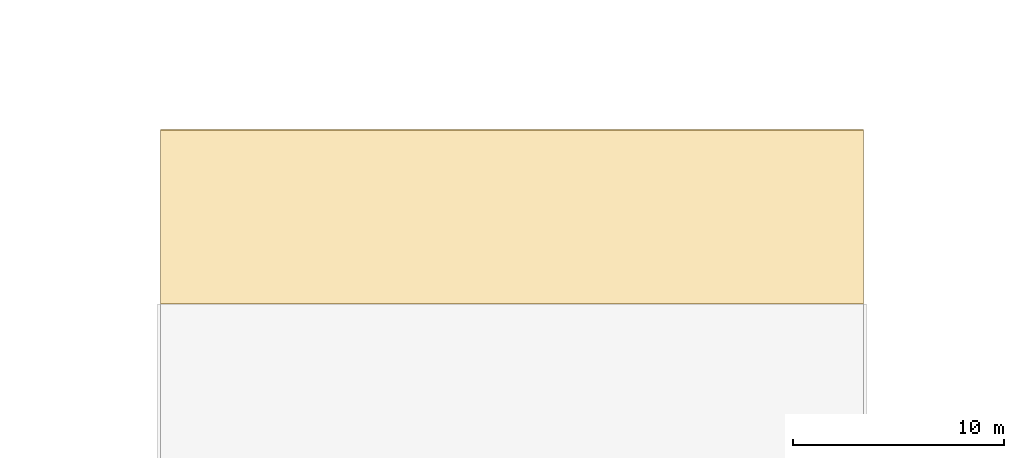
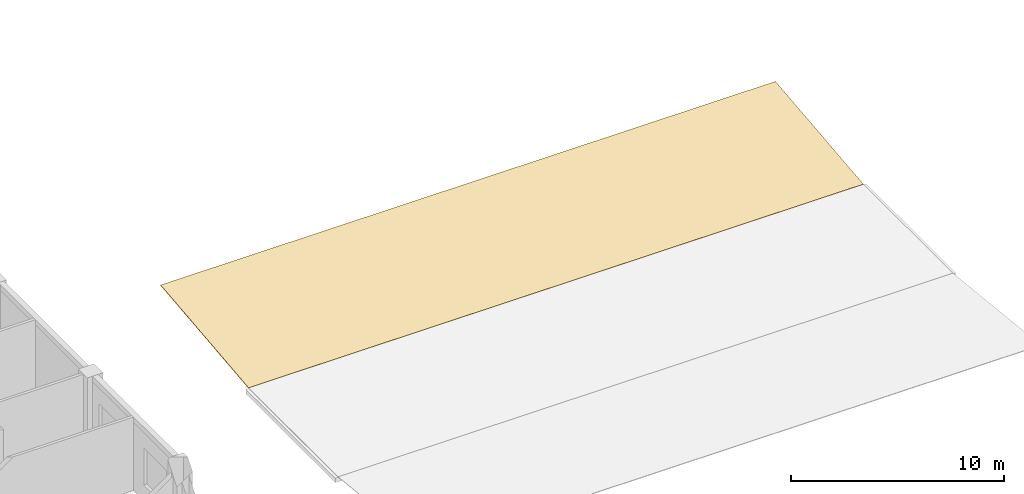
# One storey, part 63 of 66: 1 covering.
"""IFC4 building model written with IfcOpenShell, lengths in metres."""

from ifc_helpers import new_model, si_unit, direction, frame, origin, place, context, subcontext, project, spatial, polyline, outline, extrude, material, layer, layer_set, type_object, element, save


model = new_model("IFC4")

# Units and contexts
model_context = context("Model", 3, precision=1e-05, world=origin(), true_north=direction((0.0, 1.0)))
body_context = subcontext(model_context, "Body", "Model", "MODEL_VIEW")
ifc_project = project(units=[si_unit("LENGTHUNIT", "METRE"), si_unit("AREAUNIT", "SQUARE_METRE"), si_unit("VOLUMEUNIT", "CUBIC_METRE"), si_unit("PLANEANGLEUNIT", "RADIAN"), si_unit("MASSUNIT", "GRAM", prefix="KILO")], contexts=[model_context])

# Site, building, storey
site_placement = place(None, origin())
site = spatial("IfcSite", under=ifc_project, at=site_placement, CompositionType="ELEMENT")
building_placement = place(site_placement, origin())
building = spatial("IfcBuilding", under=site, at=building_placement, Name="Yavir Park General Hospital", CompositionType="ELEMENT")
storey_placement = place(building_placement, frame((0.0, 0.0, 8.39990234375)))
storey = spatial("IfcBuildingStorey", under=building, at=storey_placement, Name="L02", CompositionType="ELEMENT", Elevation=8.39990234375)

# Covering
ifc_material = material(Name="Bituminous roof membrane")
ifc_layer = layer(ifc_material, 0.034912109375)
ifc_layer_set = layer_set([ifc_layer], Name="Bituminous roof membrane")
covering_type = type_object("IfcCoveringType", Name="Roof membrane and insulation 35", PredefinedType="ROOFING", material=ifc_layer_set)
covering_placement = place(storey_placement, frame((33.75, 67.199951171875, 0.2353515625), z_axis=(0.0, -0.106516500476, 0.994310934832), x_axis=(1.0, 0.0, 0.0)))
element("IfcCovering", 1, at=covering_placement, inside=storey, type_object=covering_type, Name="Roofing CLIN-N1", PredefinedType="ROOFING", context=body_context, shape_type="SweptSolid", body=[
    extrude(outline(polyline([(0.0, 0.0), (33.300048828125, 0.0), (33.300048828125, 8.297203330459887), (0.0, 8.297203330459887), (0.0, 0.0)])), origin(), (0.0, 0.0, -1.0), 0.034912109375),
])

save(model, "model.ifc")
